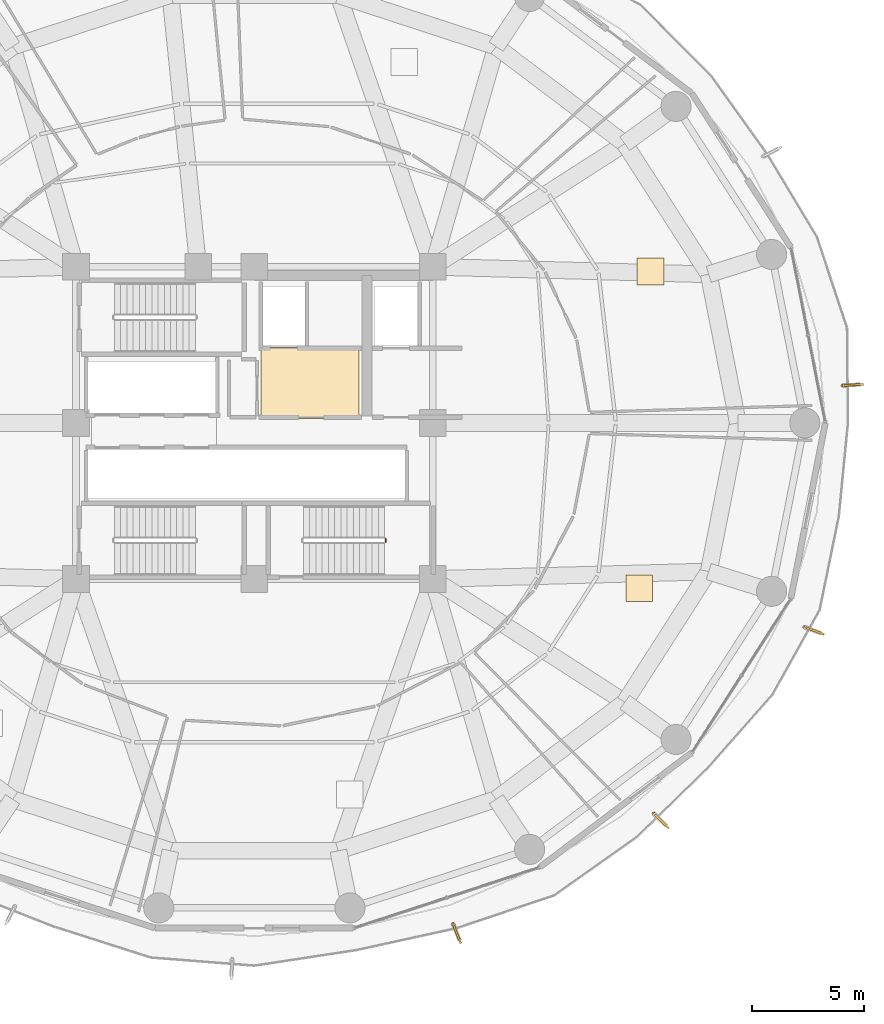
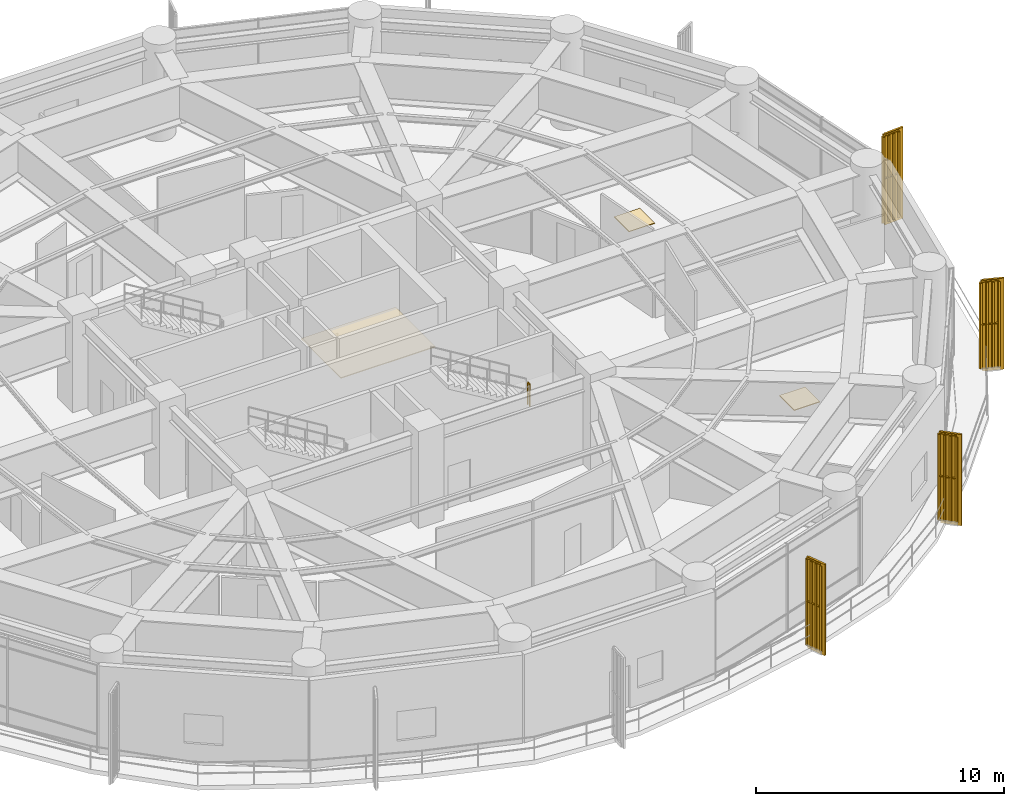
# One storey, part 33 of 34: 5 railings, 4 shading devices, 3 coverings.
"""IFC4 building model written with IfcOpenShell, lengths in metres."""

from ifc_helpers import new_model, si_unit, direction, frame, origin, origin_2d, place, context, subcontext, project, spatial, polyline, rectangle, outline, extrude, source, transform, mapped, material, layer, layer_set, type_object, element, save


model = new_model("IFC4")

# Units and contexts
model_context = context("Model", 3, precision=1e-05, world=origin(), true_north=direction((0.0, 1.0)))
body_context = subcontext(model_context, "Body", "Model", "MODEL_VIEW")
ifc_project = project(units=[si_unit("LENGTHUNIT", "METRE"), si_unit("AREAUNIT", "SQUARE_METRE"), si_unit("VOLUMEUNIT", "CUBIC_METRE"), si_unit("PLANEANGLEUNIT", "RADIAN"), si_unit("MASSUNIT", "GRAM", prefix="KILO")], contexts=[model_context])

# Site, building, storey
site_placement = place(None, origin())
site = spatial("IfcSite", under=ifc_project, at=site_placement, CompositionType="ELEMENT")
building_placement = place(site_placement, origin())
building = spatial("IfcBuilding", under=site, at=building_placement, Name="Kelanora Arch Commons", CompositionType="ELEMENT")
storey_placement = place(building_placement, frame((0.0, 0.0, 125.10009765625)))
storey = spatial("IfcBuildingStorey", under=building, at=storey_placement, Name="L32", CompositionType="ELEMENT", Elevation=125.10009765625)

# Railings
ifc_material_1 = material(Name="Anodised bronze vertical shading fin rib assembly")
railing_type_1 = type_object("IfcRailingType", Name="RAIL-FIN-BRZ", PredefinedType="BALUSTRADE", material=ifc_material_1)
railing_1_placement = place(storey_placement, frame((82.908447265625, 35.53759765625, -0.02001953125)))
element("IfcRailing", 1, at=railing_1_placement, inside=storey, type_object=railing_type_1, Name="Sweeping Bronze Vertical Fin Blade L32-11", PredefinedType="BALUSTRADE", context=body_context, shape_type="SweptSolid", body=[
    extrude(outline(polyline([(0.06982421875, 0.0), (0.034912109375, 0.060546875), (-0.034912109375, 0.060546875), (-0.06982421875, 0.0), (-0.034912109375, -0.060546875), (0.034912109375, -0.060546875), (0.06982421875, 0.0)])), frame((0.0, 0.0, 4.2900390625), z_axis=(0.368620736694, -0.929579879558, 0.0), x_axis=(0.929579879558, 0.368620736694, 0.0)), (0.0, 0.0, 1.0), 0.72998046875),
    extrude(outline(polyline([(0.06982421875, 0.0), (0.034912109375, 0.060546875), (-0.034912109375, 0.060546875), (-0.06982421875, 0.0), (-0.034912109375, -0.060546875), (0.034912109375, -0.060546875), (0.06982421875, 0.0)])), frame((0.0, 0.0, 2.18017578125), z_axis=(0.368620736694, -0.929579879558, 0.0), x_axis=(0.929579879558, 0.368620736694, 0.0)), (0.0, 0.0, 1.0), 0.72998046875),
    extrude(outline(polyline([(0.080078125, 0.0), (0.0400390625, 0.0693359375), (-0.0400390625, 0.0693359375), (-0.080078125, 0.0), (-0.0400390625, -0.0693359375), (0.0400390625, -0.0693359375), (0.080078125, 0.0)])), origin(), (0.0, 0.0, 1.0), 4.22021484375),
    extrude(outline(polyline([(0.080078125, 0.0), (0.0400390625, 0.0693359375), (-0.0400390625, 0.0693359375), (-0.080078125, 0.0), (-0.0400390625, -0.0693359375), (0.0400390625, -0.0693359375), (0.080078125, 0.0)])), frame((0.089599609375, -0.22607421875, 0.0)), (0.0, 0.0, 1.0), 4.22021484375),
    extrude(outline(polyline([(0.080078125, 0.0), (0.0400390625, 0.0693359375), (-0.0400390625, 0.0693359375), (-0.080078125, 0.0), (-0.0400390625, -0.0693359375), (0.0400390625, -0.0693359375), (0.080078125, 0.0)])), frame((0.179443359375, -0.452392578125, 0.0)), (0.0, 0.0, 1.0), 4.22021484375),
    extrude(outline(polyline([(0.080078125, 0.0), (0.0400390625, 0.0693359375), (-0.0400390625, 0.0693359375), (-0.080078125, 0.0), (-0.0400390625, -0.0693359375), (0.0400390625, -0.0693359375), (0.080078125, 0.0)])), frame((0.26904296875, -0.678466796875, 0.0)), (0.0, 0.0, 1.0), 4.22021484375),
])
railing_2_placement = place(storey_placement, frame((91.907958984375, 40.4833984375, -0.02001953125)))
element("IfcRailing", 2, at=railing_2_placement, inside=storey, type_object=railing_type_1, Name="Sweeping Bronze Vertical Fin Blade L32-12", PredefinedType="BALUSTRADE", context=body_context, shape_type="SweptSolid", body=[
    extrude(outline(polyline([(0.06982421875, 0.0), (0.034912109375, 0.060546875), (-0.034912109375, 0.060546875), (-0.06982421875, 0.0), (-0.034912109375, -0.060546875), (0.034912109375, -0.060546875), (0.06982421875, 0.0)])), frame((0.0, 0.0, 4.2900390625), z_axis=(0.714757693852, -0.699372174939, 0.0), x_axis=(0.699372174939, 0.714757693852, 0.0)), (0.0, 0.0, 1.0), 0.72998046875),
    extrude(outline(polyline([(0.06982421875, 0.0), (0.034912109375, 0.060546875), (-0.034912109375, 0.060546875), (-0.06982421875, 0.0), (-0.034912109375, -0.060546875), (0.034912109375, -0.060546875), (0.06982421875, 0.0)])), frame((0.0, 0.0, 2.18017578125), z_axis=(0.714757693852, -0.699372174939, 0.0), x_axis=(0.699372174939, 0.714757693852, 0.0)), (0.0, 0.0, 1.0), 0.72998046875),
    extrude(outline(polyline([(0.080078125, 0.0), (0.0400390625, 0.0693359375), (-0.0400390625, 0.0693359375), (-0.080078125, 0.0), (-0.0400390625, -0.0693359375), (0.0400390625, -0.0693359375), (0.080078125, 0.0)])), origin(), (0.0, 0.0, 1.0), 4.22021484375),
    extrude(outline(polyline([(0.080078125, 0.0), (0.0400390625, 0.0693359375), (-0.0400390625, 0.0693359375), (-0.080078125, 0.0), (-0.0400390625, -0.0693359375), (0.0400390625, -0.0693359375), (0.080078125, 0.0)])), frame((0.173828125, -0.170166015625, 0.0)), (0.0, 0.0, 1.0), 4.22021484375),
    extrude(outline(polyline([(0.080078125, 0.0), (0.0400390625, 0.0693359375), (-0.0400390625, 0.0693359375), (-0.080078125, 0.0), (-0.0400390625, -0.0693359375), (0.0400390625, -0.0693359375), (0.080078125, 0.0)])), frame((0.347900390625, -0.34033203125, 0.0)), (0.0, 0.0, 1.0), 4.22021484375),
    extrude(outline(polyline([(0.080078125, 0.0), (0.0400390625, 0.0693359375), (-0.0400390625, 0.0693359375), (-0.080078125, 0.0), (-0.0400390625, -0.0693359375), (0.0400390625, -0.0693359375), (0.080078125, 0.0)])), frame((0.521728515625, -0.510498046875, 0.0)), (0.0, 0.0, 1.0), 4.22021484375),
])
railing_3_placement = place(storey_placement, frame((98.663818359375, 48.84375, -0.02001953125)))
element("IfcRailing", 3, at=railing_3_placement, inside=storey, type_object=railing_type_1, Name="Sweeping Bronze Vertical Fin Blade L32-13", PredefinedType="BALUSTRADE", context=body_context, shape_type="SweptSolid", body=[
    extrude(outline(polyline([(0.06982421875, 0.0), (0.034912109375, 0.060546875), (-0.034912109375, 0.060546875), (-0.06982421875, 0.0), (-0.034912109375, -0.060546875), (0.034912109375, -0.060546875), (0.06982421875, 0.0)])), frame((0.0, 0.0, 4.2900390625), z_axis=(0.937506372557, -0.347968104018, 0.0), x_axis=(0.347968104018, 0.937506372557, 0.0)), (0.0, 0.0, 1.0), 0.729736328125),
    extrude(outline(polyline([(0.06982421875, 0.0), (0.034912109375, 0.060546875), (-0.034912109375, 0.060546875), (-0.06982421875, 0.0), (-0.034912109375, -0.060546875), (0.034912109375, -0.060546875), (0.06982421875, 0.0)])), frame((0.0, 0.0, 2.18017578125), z_axis=(0.937506372557, -0.347968104018, 0.0), x_axis=(0.347968104018, 0.937506372557, 0.0)), (0.0, 0.0, 1.0), 0.729736328125),
    extrude(outline(polyline([(0.080078125, 0.0), (0.0400390625, 0.0693359375), (-0.0400390625, 0.0693359375), (-0.080078125, 0.0), (-0.0400390625, -0.0693359375), (0.0400390625, -0.0693359375), (0.080078125, 0.0)])), origin(), (0.0, 0.0, 1.0), 4.22021484375),
    extrude(outline(polyline([(0.080078125, 0.0), (0.0400390625, 0.0693359375), (-0.0400390625, 0.0693359375), (-0.080078125, 0.0), (-0.0400390625, -0.0693359375), (0.0400390625, -0.0693359375), (0.080078125, 0.0)])), frame((0.22802734375, -0.084716796875, 0.0)), (0.0, 0.0, 1.0), 4.22021484375),
    extrude(outline(polyline([(0.080078125, 0.0), (0.0400390625, 0.0693359375), (-0.0400390625, 0.0693359375), (-0.080078125, 0.0), (-0.0400390625, -0.0693359375), (0.0400390625, -0.0693359375), (0.080078125, 0.0)])), frame((0.4560546875, -0.169189453125, 0.0)), (0.0, 0.0, 1.0), 4.22021484375),
    extrude(outline(polyline([(0.080078125, 0.0), (0.0400390625, 0.0693359375), (-0.0400390625, 0.0693359375), (-0.080078125, 0.0), (-0.0400390625, -0.0693359375), (0.0400390625, -0.0693359375), (0.080078125, 0.0)])), frame((0.68408203125, -0.25390625, 0.0)), (0.0, 0.0, 1.0), 4.22021484375),
])
railing_4_placement = place(storey_placement, frame((100.37451171875, 59.674560546875, -0.02001953125)))
element("IfcRailing", 4, at=railing_4_placement, inside=storey, type_object=railing_type_1, Name="Sweeping Bronze Vertical Fin Blade L32-14", PredefinedType="BALUSTRADE", context=body_context, shape_type="SweptSolid", body=[
    extrude(outline(polyline([(0.06982421875, 0.0), (0.034912109375, 0.060546875), (-0.034912109375, 0.060546875), (-0.06982421875, 0.0), (-0.034912109375, -0.060546875), (0.034912109375, -0.060546875), (0.06982421875, 0.0)])), frame((0.0, 0.0, 4.2900390625), z_axis=(0.997979022561, 0.063544240713, 0.0), x_axis=(-0.063544240713, 0.997979022561, 0.0)), (0.0, 0.0, 1.0), 0.72998046875),
    extrude(outline(polyline([(0.06982421875, 0.0), (0.034912109375, 0.060546875), (-0.034912109375, 0.060546875), (-0.06982421875, 0.0), (-0.034912109375, -0.060546875), (0.034912109375, -0.060546875), (0.06982421875, 0.0)])), frame((0.0, 0.0, 2.18017578125), z_axis=(0.997979022561, 0.063544240713, 0.0), x_axis=(-0.063544240713, 0.997979022561, 0.0)), (0.0, 0.0, 1.0), 0.72998046875),
    extrude(outline(polyline([(0.080078125, 0.0), (0.0400390625, 0.0693359375), (-0.0400390625, 0.0693359375), (-0.080078125, 0.0), (-0.0400390625, -0.0693359375), (0.0400390625, -0.0693359375), (0.080078125, 0.0)])), origin(), (0.0, 0.0, 1.0), 4.22021484375),
    extrude(outline(polyline([(0.080078125, 0.0), (0.0400390625, 0.0693359375), (-0.0400390625, 0.0693359375), (-0.080078125, 0.0), (-0.0400390625, -0.0693359375), (0.0400390625, -0.0693359375), (0.080078125, 0.0)])), frame((0.242919921875, 0.015380859375, 0.0)), (0.0, 0.0, 1.0), 4.22021484375),
    extrude(outline(polyline([(0.080078125, 0.0), (0.0400390625, 0.0693359375), (-0.0400390625, 0.0693359375), (-0.080078125, 0.0), (-0.0400390625, -0.0693359375), (0.0400390625, -0.0693359375), (0.080078125, 0.0)])), frame((0.485595703125, 0.031005859375, 0.0)), (0.0, 0.0, 1.0), 4.22021484375),
    extrude(outline(polyline([(0.080078125, 0.0), (0.0400390625, 0.0693359375), (-0.0400390625, 0.0693359375), (-0.080078125, 0.0), (-0.0400390625, -0.0693359375), (0.0400390625, -0.0693359375), (0.080078125, 0.0)])), frame((0.728515625, 0.04638671875, 0.0)), (0.0, 0.0, 1.0), 4.22021484375),
])
ifc_material_2 = material(Name="Painted steel stair well guard", Category="steel")
railing_type_2 = type_object("IfcRailingType", Name="RAIL-STAIR-GRD", PredefinedType="GUARDRAIL", material=ifc_material_2)
railing_5_placement = place(storey_placement, frame((79.889892578125, 52.659912109375, 2.3798828125)))
element("IfcRailing", 5, at=railing_5_placement, inside=storey, type_object=railing_type_2, Name="L32 ST-T2 stair guard 2", PredefinedType="GUARDRAIL", context=body_context, shape_type="SweptSolid", body=[
    extrude(outline(polyline([(0.02392578125, 0.0), (0.011962890625, 0.020751953125), (-0.011962890625, 0.020751953125), (-0.02392578125, 0.0), (-0.011962890625, -0.020751953125), (0.011962890625, -0.020751953125), (0.02392578125, 0.0)])), frame((0.0, 0.0, 1.076171875), z_axis=(0.0, 1.0, 0.0), x_axis=(-1.0, 0.0, 0.0)), (0.0, 0.0, 1.0), 0.150146484375),
    extrude(outline(polyline([(0.02392578125, 0.0), (0.011962890625, 0.020751953125), (-0.011962890625, 0.020751953125), (-0.02392578125, 0.0), (-0.011962890625, -0.020751953125), (0.011962890625, -0.020751953125), (0.02392578125, 0.0)])), frame((0.0, 0.0, 0.550048828125), z_axis=(0.0, 1.0, 0.0), x_axis=(-1.0, 0.0, 0.0)), (0.0, 0.0, 1.0), 0.150146484375),
    extrude(outline(polyline([(0.02099609375, 0.0), (0.010498046875, 0.01806640625), (-0.010498046875, 0.01806640625), (-0.02099609375, 0.0), (-0.010498046875, -0.01806640625), (0.010498046875, -0.01806640625), (0.02099609375, 0.0)])), origin(), (0.0, 0.0, 1.0), 1.052001953125),
    extrude(outline(polyline([(0.02099609375, 0.0), (0.010498046875, 0.01806640625), (-0.010498046875, 0.01806640625), (-0.02099609375, 0.0), (-0.010498046875, -0.01806640625), (0.010498046875, -0.01806640625), (0.02099609375, 0.0)])), frame((0.0, 0.150146484375, 0.0)), (0.0, 0.0, 1.0), 1.052001953125),
])

# Shading devices
ifc_material_3 = material(Name="Terracotta ceramic-clad extruded aluminium fin", Category="masonry")
shading_device_type = type_object("IfcShadingDeviceType", Name="SHD-FIN-FLARE", PredefinedType="USERDEFINED", material=ifc_material_3)
shared_shape_1 = source(origin(), body_context, "Body", "SweptSolid", [
    extrude(rectangle(XDim=0.8798828125, YDim=0.090087890625, at=origin_2d()), origin(), (0.0, 0.0, 1.0), 4.47998046875),
])
for number, where, z_axis, x_axis, name in (
    (6, (83.094482421875, 35.068359375, -0.14013671875), (0.0, 0.0, 1.0), (0.36861133203, -0.92958360888, 0.0), "Sweeping Terracotta Fin L32-11"),
    (7, (92.26904296875, 40.13037109375, -0.14013671875), (0.0, 0.0, 1.0), (0.714838924546, -0.699289147602, 0.0), "Sweeping Terracotta Fin L32-12"),
    (8, (99.13720703125, 48.668212890625, -0.14013671875), (0.0, 0.0, 1.0), (0.9374643729, -0.348081239861, 0.0), "Sweeping Terracotta Fin L32-13"),
    (9, (100.87841796875, 59.70654296875, -0.14013671875), (0.0, 0.0, 1.0), (0.997993714583, 0.063313076471, 0.0), "Sweeping Terracotta Fin L32-14"),
):
    element("IfcShadingDevice", number, at=place(storey_placement, frame(where, z_axis=z_axis, x_axis=x_axis)), inside=storey, type_object=shading_device_type, Name=name, ObjectType="FIN", PredefinedType="USERDEFINED", context=body_context, shape_type="MappedRepresentation", body=[
        mapped(shared_shape_1, transform((0.0, 0.0, 0.0), scale=1.0)),
    ])

# Coverings
ifc_material_4 = material(Name="Polished local granite terrazzo flooring", Category="masonry")
ifc_layer_1 = layer(ifc_material_4, 0.030029296875)
ifc_layer_set_1 = layer_set([ifc_layer_1], Name="Polished local granite terrazzo flooring")
covering_type_1 = type_object("IfcCoveringType", Name="COV-FLR-TER", PredefinedType="FLOORING", material=ifc_layer_set_1)
shared_shape_2 = source(origin(), body_context, "Body", "SweptSolid", [
    extrude(rectangle(XDim=1.199951171875, YDim=1.199951171875, at=origin_2d()), origin(), (0.0, 0.0, 1.0), 0.030029296875),
])
for number, where, z_axis, x_axis, name in (
    (10, (91.25341796875, 50.592041015625, 0.0), (0.0, 0.0, 1.0), (1.0, 0.0, 0.0), "Double-Aspect Student Social Lounge L32 Terrazzo Finish"),
    (11, (91.765625, 64.788330078125, 0.0), (0.0, 0.0, 1.0), (1.0, 0.0, 0.0), "Group Seminar Room L32-1 Terrazzo Finish"),
):
    element("IfcCovering", number, at=place(storey_placement, frame(where, z_axis=z_axis, x_axis=x_axis)), inside=storey, type_object=covering_type_1, Name=name, PredefinedType="FLOORING", context=body_context, shape_type="MappedRepresentation", body=[
        mapped(shared_shape_2, transform((0.0, 0.0, 0.0), scale=1.0)),
    ])
ifc_material_5 = material(Name="Perforated acoustic mineral-fibre ceiling")
ifc_layer_2 = layer(ifc_material_5, 0.0400390625)
ifc_layer_set_2 = layer_set([ifc_layer_2], Name="Perforated acoustic mineral-fibre ceiling")
covering_type_2 = type_object("IfcCoveringType", Name="COV-CEIL-AC", PredefinedType="CEILING", material=ifc_layer_set_2)
shared_shape_3 = source(origin(), body_context, "Body", "SweptSolid", [
    extrude(rectangle(XDim=4.39990234375, YDim=3.199951171875, at=origin_2d()), origin(), (0.0, 0.0, 1.0), 0.0400390625),
])
covering_placement = place(storey_placement, frame((76.5, 59.800048828125, 2.329833984375), z_axis=(0.0, 0.0, 1.0), x_axis=(1.0, 0.0, 0.0)))
element("IfcCovering", 12, at=covering_placement, inside=storey, type_object=covering_type_2, Name="Firefighting Lobby Acoustic Ceiling L32", PredefinedType="CEILING", context=body_context, shape_type="MappedRepresentation", body=[
    mapped(shared_shape_3, transform((0.0, 0.0, 0.0), scale=1.0)),
])

save(model, "model.ifc")
